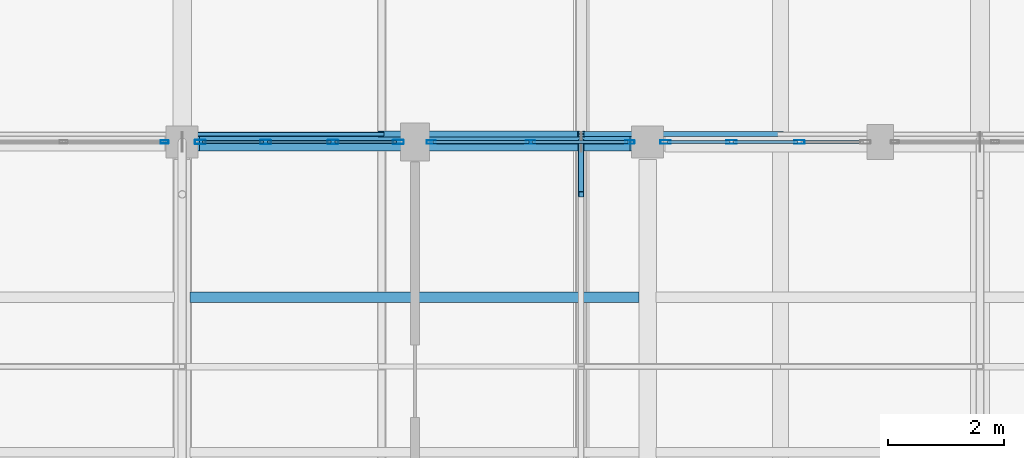
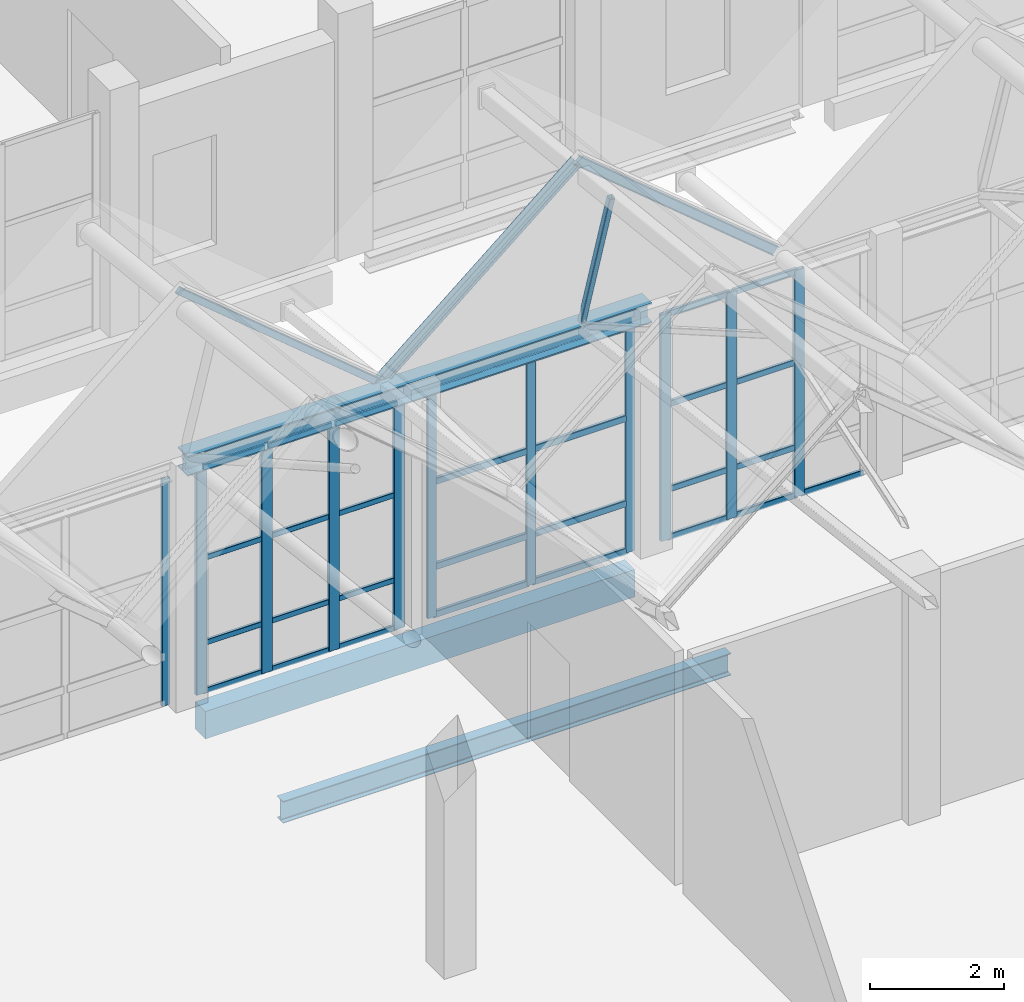
# One storey, part 81 of 183: 44 members, 3 beams, 4 elements without a shape of their own.
"""IFC4 building model written with IfcOpenShell, lengths in metres."""

from ifc_helpers import new_model, si_unit, direction, frame, origin, origin_2d, place, context, subcontext, project, spatial, rectangle, hollow_rectangle, i_section, extrude, material, material_profile, profile_set, type_object, element, aggregate, save


model = new_model("IFC4")

# Units and contexts
model_context = context("Model", 3, precision=1e-05, world=origin(), true_north=direction((0.0, 1.0)))
body_context = subcontext(model_context, "Body", "Model", "MODEL_VIEW")
ifc_project = project(units=[si_unit("LENGTHUNIT", "METRE"), si_unit("AREAUNIT", "SQUARE_METRE"), si_unit("VOLUMEUNIT", "CUBIC_METRE"), si_unit("PLANEANGLEUNIT", "RADIAN"), si_unit("MASSUNIT", "GRAM", prefix="KILO")], contexts=[model_context])

# Site, building, storey
site_placement = place(None, origin())
site = spatial("IfcSite", under=ifc_project, at=site_placement, CompositionType="ELEMENT")
building_placement = place(site_placement, origin())
building = spatial("IfcBuilding", under=site, at=building_placement, Name="Luwemba Playhouse", CompositionType="ELEMENT")
storey_placement = place(building_placement, frame((0.0, 0.0, 4.800048828125)))
storey = spatial("IfcBuildingStorey", under=building, at=storey_placement, Name="L01", CompositionType="ELEMENT", Elevation=4.800048828125)

# Beams
ifc_material_1 = material(Name="Steel S355", Category="steel")
ifc_material_profile_1 = material_profile(ifc_material_1, i_section(OverallWidth=0.300048828125, OverallDepth=0.360107421875, WebThickness=0.012451171875, FlangeThickness=0.0224609375, FilletRadius=0.027099609375, at=origin_2d()))
ifc_profile_set_1 = profile_set([ifc_material_profile_1], Name="Steel S355")
beam_type_1 = type_object("IfcBeamType", Name="BM-SB09", PredefinedType="BEAM", material=ifc_profile_set_1)
beam_1_placement = place(storey_placement, frame((148.0, 27.0, 4.320068359375), z_axis=(1.0, 0.0, 0.0), x_axis=(0.0, 1.0, 0.0)))
element("IfcBeam", 1, at=beam_1_placement, inside=storey, type_object=beam_type_1, Name="RF-V5E eave ring beam 0300", PredefinedType="BEAM", context=body_context, shape_type="SweptSolid", body=[
    extrude(i_section(OverallWidth=0.300048828125, OverallDepth=0.360107421875, WebThickness=0.012451171875, FlangeThickness=0.0224609375, FilletRadius=0.027099609375, at=origin_2d()), origin(), (0.0, 0.0, 1.0), 8.0),
])
ifc_material_profile_2 = material_profile(ifc_material_1, i_section(OverallWidth=0.179931640625, OverallDepth=0.39990234375, WebThickness=0.008544921875, FlangeThickness=0.013427734375, FilletRadius=0.02099609375, at=origin_2d()))
ifc_profile_set_2 = profile_set([ifc_material_profile_2], Name="Steel S355")
beam_type_2 = type_object("IfcBeamType", Name="BM-SJ08", PredefinedType="JOIST", material=ifc_profile_set_2)
beam_2_placement = place(storey_placement, frame((148.135986328125, 24.333251953125, -0.449951171875), z_axis=(1.0, 0.0, 0.0), x_axis=(0.0, 1.0, 0.0)))
element("IfcBeam", 2, at=beam_2_placement, inside=storey, type_object=beam_type_2, Name="L01 composite floor joist 0327", PredefinedType="JOIST", context=body_context, shape_type="SweptSolid", body=[
    extrude(i_section(OverallWidth=0.179931640625, OverallDepth=0.39990234375, WebThickness=0.008544921875, FlangeThickness=0.013427734375, FilletRadius=0.02099609375, at=origin_2d()), origin(), (0.0, 0.0, 1.0), 7.718017578125),
])
ifc_material_2 = material(Name="Concrete C40/50", Category="concrete")
ifc_material_profile_3 = material_profile(ifc_material_2, rectangle(XDim=0.300048828125, YDim=0.5, at=origin_2d()))
ifc_profile_set_3 = profile_set([ifc_material_profile_3], Name="Concrete C40/50")
beam_type_3 = type_object("IfcBeamType", Name="BM-SP1", PredefinedType="SPANDREL", material=ifc_profile_set_3)
beam_3_placement = place(storey_placement, frame((148.300048828125, 27.0, -0.5), z_axis=(1.0, 0.0, 0.0), x_axis=(0.0, 1.0, 0.0)))
element("IfcBeam", 3, at=beam_3_placement, inside=storey, type_object=beam_type_3, Name="L01 grid girder 0540", PredefinedType="SPANDREL", context=body_context, shape_type="SweptSolid", body=[
    extrude(rectangle(XDim=0.300048828125, YDim=0.5, at=origin_2d()), origin(), (0.0, 0.0, 1.0), 7.39990234375),
])

# Curtain wall, members
ifc_material_3 = material(Name="Solar-control double glazing", Category="glass")
curtain_wall_type_1 = type_object("IfcCurtainWallType", Name="CW-CW124", PredefinedType="USERDEFINED", material=ifc_material_3)
curtain_wall_1_placement = place(storey_placement, origin())
curtain_wall_1 = element("IfcCurtainWall", 4, at=curtain_wall_1_placement, inside=storey, type_object=curtain_wall_type_1, Name="L01 V5E unitised curtain wall 162", ObjectType="UNITISED GLAZING", PredefinedType="USERDEFINED")
ifc_material_4 = material(Name="Aluminium 6063-T6", Category="aluminium")
ifc_material_profile_4 = material_profile(ifc_material_4, hollow_rectangle(XDim=0.06005859375, YDim=0.159912109375, WallThickness=0.00390625, InnerFilletRadius=0.006103515625, OuterFilletRadius=0.010009765625, at=origin_2d()))
ifc_profile_set_4 = profile_set([ifc_material_profile_4], Name="Aluminium 6063-T6")
member_type_1 = type_object("IfcMemberType", Name="CWM-M1", PredefinedType="MULLION", material=ifc_profile_set_4)
member_1_placement = place(storey_placement, frame((152.280029296875, 27.0, 0.0), z_axis=(0.0, 0.0, 1.0), x_axis=(0.0, 1.0, 0.0)))
member_1 = element("IfcMember", 5, at=member_1_placement, type_object=member_type_1, Name="CW124 mullion 1", PredefinedType="MULLION", context=body_context, shape_type="SweptSolid", body=[
    extrude(hollow_rectangle(XDim=0.06005859375, YDim=0.159912109375, WallThickness=0.00390625, InnerFilletRadius=0.006103515625, OuterFilletRadius=0.010009765625, at=origin_2d()), origin(), (0.0, 0.0, 1.0), 4.125),
])
member_2_placement = place(storey_placement, frame((153.987548828125, 27.0, 0.0), z_axis=(0.0, 0.0, 1.0), x_axis=(0.0, 1.0, 0.0)))
member_2 = element("IfcMember", 6, at=member_2_placement, type_object=member_type_1, Name="CW124 mullion 2", PredefinedType="MULLION", context=body_context, shape_type="SweptSolid", body=[
    extrude(hollow_rectangle(XDim=0.06005859375, YDim=0.159912109375, WallThickness=0.00390625, InnerFilletRadius=0.006103515625, OuterFilletRadius=0.010009765625, at=origin_2d()), origin(), (0.0, 0.0, 1.0), 4.125),
])
member_3_placement = place(storey_placement, frame((155.695068359375, 27.0, 0.0), z_axis=(0.0, 0.0, 1.0), x_axis=(0.0, 1.0, 0.0)))
member_3 = element("IfcMember", 7, at=member_3_placement, type_object=member_type_1, Name="CW124 mullion 3", PredefinedType="MULLION", context=body_context, shape_type="SweptSolid", body=[
    extrude(hollow_rectangle(XDim=0.06005859375, YDim=0.159912109375, WallThickness=0.00390625, InnerFilletRadius=0.006103515625, OuterFilletRadius=0.010009765625, at=origin_2d()), origin(), (0.0, 0.0, 1.0), 4.125),
])

curtain_wall_type_2 = type_object("IfcCurtainWallType", Name="CW-CW125", PredefinedType="USERDEFINED", material=ifc_material_3)
curtain_wall_2_placement = place(storey_placement, origin())
curtain_wall_2 = element("IfcCurtainWall", 8, at=curtain_wall_2_placement, inside=storey, type_object=curtain_wall_type_2, Name="L01 V5E unitised curtain wall 163", ObjectType="UNITISED GLAZING", PredefinedType="USERDEFINED")
ifc_material_profile_5 = material_profile(ifc_material_4, hollow_rectangle(XDim=0.06494140625, YDim=0.179931640625, WallThickness=0.00439453125, InnerFilletRadius=0.0068359375, OuterFilletRadius=0.01123046875, at=origin_2d()))
ifc_profile_set_5 = profile_set([ifc_material_profile_5], Name="Aluminium 6063-T6")
member_type_2 = type_object("IfcMemberType", Name="CWM-M2", PredefinedType="MULLION", material=ifc_profile_set_5)
member_4_placement = place(storey_placement, frame((156.3076171875, 27.0, 0.0), z_axis=(0.0, 0.0, 1.0), x_axis=(0.0, 1.0, 0.0)))
member_4 = element("IfcMember", 9, at=member_4_placement, type_object=member_type_2, Name="CW125 mullion 1", PredefinedType="MULLION", context=body_context, shape_type="SweptSolid", body=[
    extrude(hollow_rectangle(XDim=0.06494140625, YDim=0.179931640625, WallThickness=0.00439453125, InnerFilletRadius=0.0068359375, OuterFilletRadius=0.01123046875, at=origin_2d()), origin(), (0.0, 0.0, 1.0), 4.125),
])
member_5_placement = place(storey_placement, frame((157.441650390625, 27.0, 0.0), z_axis=(0.0, 0.0, 1.0), x_axis=(0.0, 1.0, 0.0)))
member_5 = element("IfcMember", 10, at=member_5_placement, type_object=member_type_2, Name="CW125 mullion 2", PredefinedType="MULLION", context=body_context, shape_type="SweptSolid", body=[
    extrude(hollow_rectangle(XDim=0.06494140625, YDim=0.179931640625, WallThickness=0.00439453125, InnerFilletRadius=0.0068359375, OuterFilletRadius=0.01123046875, at=origin_2d()), origin(), (0.0, 0.0, 1.0), 4.125),
])
member_6_placement = place(storey_placement, frame((158.6083984375, 27.0, 0.0), z_axis=(0.0, 0.0, 1.0), x_axis=(0.0, 1.0, 0.0)))
member_6 = element("IfcMember", 11, at=member_6_placement, type_object=member_type_2, Name="CW125 mullion 3", PredefinedType="MULLION", context=body_context, shape_type="SweptSolid", body=[
    extrude(hollow_rectangle(XDim=0.06494140625, YDim=0.179931640625, WallThickness=0.00439453125, InnerFilletRadius=0.0068359375, OuterFilletRadius=0.01123046875, at=origin_2d()), origin(), (0.0, 0.0, 1.0), 4.125),
])

# Curtain wall, member
curtain_wall_type_3 = type_object("IfcCurtainWallType", Name="CW-CW122", PredefinedType="USERDEFINED", material=ifc_material_3)
curtain_wall_3_placement = place(storey_placement, origin())
curtain_wall_3 = element("IfcCurtainWall", 12, at=curtain_wall_3_placement, inside=storey, type_object=curtain_wall_type_3, Name="L01 V5E unitised curtain wall 160", ObjectType="UNITISED GLAZING", PredefinedType="USERDEFINED")
ifc_material_profile_6 = material_profile(ifc_material_4, hollow_rectangle(XDim=0.054931640625, YDim=0.139892578125, WallThickness=0.00390625, InnerFilletRadius=0.006103515625, OuterFilletRadius=0.010009765625, at=origin_2d()))
ifc_profile_set_6 = profile_set([ifc_material_profile_6], Name="Aluminium 6063-T6")
member_type_3 = type_object("IfcMemberType", Name="CWM-M3", PredefinedType="MULLION", material=ifc_profile_set_6)
member_7_placement = place(storey_placement, frame((147.697509765625, 27.0, 0.0), z_axis=(0.0, 0.0, 1.0), x_axis=(0.0, 1.0, 0.0)))
member_7 = element("IfcMember", 13, at=member_7_placement, type_object=member_type_3, Name="CW122 mullion 3", PredefinedType="MULLION", context=body_context, shape_type="SweptSolid", body=[
    extrude(hollow_rectangle(XDim=0.054931640625, YDim=0.139892578125, WallThickness=0.00390625, InnerFilletRadius=0.006103515625, OuterFilletRadius=0.010009765625, at=origin_2d()), origin(), (0.0, 0.0, 1.0), 4.125),
])
aggregate(curtain_wall_3, [member_7])

# Curtain wall, members
curtain_wall_type_4 = type_object("IfcCurtainWallType", Name="CW-CW123", PredefinedType="USERDEFINED", material=ifc_material_3)
curtain_wall_4_placement = place(storey_placement, origin())
curtain_wall_4 = element("IfcCurtainWall", 14, at=curtain_wall_4_placement, inside=storey, type_object=curtain_wall_type_4, Name="L01 V5E unitised curtain wall 161", ObjectType="UNITISED GLAZING", PredefinedType="USERDEFINED")
ifc_material_profile_7 = material_profile(ifc_material_4, hollow_rectangle(XDim=0.070068359375, YDim=0.18994140625, WallThickness=0.0048828125, InnerFilletRadius=0.007568359375, OuterFilletRadius=0.012451171875, at=origin_2d()))
ifc_profile_set_7 = profile_set([ifc_material_profile_7], Name="Aluminium 6063-T6")
member_type_4 = type_object("IfcMemberType", Name="CWM-M4", PredefinedType="MULLION", material=ifc_profile_set_7)
member_8_placement = place(storey_placement, frame((148.31005859375, 27.0, 0.0), z_axis=(0.0, 0.0, 1.0), x_axis=(0.0, 1.0, 0.0)))
member_8 = element("IfcMember", 15, at=member_8_placement, type_object=member_type_4, Name="CW123 mullion 1", PredefinedType="MULLION", context=body_context, shape_type="SweptSolid", body=[
    extrude(hollow_rectangle(XDim=0.070068359375, YDim=0.18994140625, WallThickness=0.0048828125, InnerFilletRadius=0.007568359375, OuterFilletRadius=0.012451171875, at=origin_2d()), origin(), (0.0, 0.0, 1.0), 4.125),
])
member_9_placement = place(storey_placement, frame((149.433349609375, 27.0, 0.0), z_axis=(0.0, 0.0, 1.0), x_axis=(0.0, 1.0, 0.0)))
member_9 = element("IfcMember", 16, at=member_9_placement, type_object=member_type_4, Name="CW123 mullion 2", PredefinedType="MULLION", context=body_context, shape_type="SweptSolid", body=[
    extrude(hollow_rectangle(XDim=0.070068359375, YDim=0.18994140625, WallThickness=0.0048828125, InnerFilletRadius=0.007568359375, OuterFilletRadius=0.012451171875, at=origin_2d()), origin(), (0.0, 0.0, 1.0), 4.125),
])
member_10_placement = place(storey_placement, frame((150.591552734375, 27.0, 0.0), z_axis=(0.0, 0.0, 1.0), x_axis=(0.0, 1.0, 0.0)))
member_10 = element("IfcMember", 17, at=member_10_placement, type_object=member_type_4, Name="CW123 mullion 3", PredefinedType="MULLION", context=body_context, shape_type="SweptSolid", body=[
    extrude(hollow_rectangle(XDim=0.070068359375, YDim=0.18994140625, WallThickness=0.0048828125, InnerFilletRadius=0.007568359375, OuterFilletRadius=0.012451171875, at=origin_2d()), origin(), (0.0, 0.0, 1.0), 4.125),
])
member_11_placement = place(storey_placement, frame((151.715087890625, 27.0, 0.0), z_axis=(0.0, 0.0, 1.0), x_axis=(0.0, 1.0, 0.0)))
member_11 = element("IfcMember", 18, at=member_11_placement, type_object=member_type_4, Name="CW123 mullion 4", PredefinedType="MULLION", context=body_context, shape_type="SweptSolid", body=[
    extrude(hollow_rectangle(XDim=0.070068359375, YDim=0.18994140625, WallThickness=0.0048828125, InnerFilletRadius=0.007568359375, OuterFilletRadius=0.012451171875, at=origin_2d()), origin(), (0.0, 0.0, 1.0), 4.125),
])

# Member
ifc_material_profile_8 = material_profile(ifc_material_4, hollow_rectangle(XDim=0.06005859375, YDim=0.1201171875, WallThickness=0.00390625, InnerFilletRadius=0.006103515625, OuterFilletRadius=0.010009765625, at=origin_2d()))
ifc_profile_set_8 = profile_set([ifc_material_profile_8], Name="Aluminium 6063-T6")
member_type_5 = type_object("IfcMemberType", Name="CWT-T1", PredefinedType="USERDEFINED", material=ifc_profile_set_8)
member_12_placement = place(storey_placement, frame((152.31005859375, 27.0, 0.030029296875), z_axis=(1.0, 0.0, 0.0), x_axis=(0.0, 1.0, 0.0)))
member_12 = element("IfcMember", 19, at=member_12_placement, type_object=member_type_5, Name="CW124 transom 1.1", ObjectType="TRANSOM", PredefinedType="USERDEFINED", context=body_context, shape_type="SweptSolid", body=[
    extrude(hollow_rectangle(XDim=0.06005859375, YDim=0.1201171875, WallThickness=0.00390625, InnerFilletRadius=0.006103515625, OuterFilletRadius=0.010009765625, at=origin_2d()), origin(), (0.0, 0.0, 1.0), 1.6474609375),
])

member_13_placement = place(storey_placement, frame((152.31005859375, 27.0, 0.89990234375), z_axis=(1.0, 0.0, 0.0), x_axis=(0.0, 1.0, 0.0)))
member_13 = element("IfcMember", 20, at=member_13_placement, type_object=member_type_5, Name="CW124 transom 1.2", ObjectType="TRANSOM", PredefinedType="USERDEFINED", context=body_context, shape_type="SweptSolid", body=[
    extrude(hollow_rectangle(XDim=0.06005859375, YDim=0.1201171875, WallThickness=0.00390625, InnerFilletRadius=0.006103515625, OuterFilletRadius=0.010009765625, at=origin_2d()), origin(), (0.0, 0.0, 1.0), 1.6474609375),
])

member_14_placement = place(storey_placement, frame((152.31005859375, 27.0, 2.449951171875), z_axis=(1.0, 0.0, 0.0), x_axis=(0.0, 1.0, 0.0)))
member_14 = element("IfcMember", 21, at=member_14_placement, type_object=member_type_5, Name="CW124 transom 1.3", ObjectType="TRANSOM", PredefinedType="USERDEFINED", context=body_context, shape_type="SweptSolid", body=[
    extrude(hollow_rectangle(XDim=0.06005859375, YDim=0.1201171875, WallThickness=0.00390625, InnerFilletRadius=0.006103515625, OuterFilletRadius=0.010009765625, at=origin_2d()), origin(), (0.0, 0.0, 1.0), 1.6474609375),
])

member_15_placement = place(storey_placement, frame((152.31005859375, 27.0, 4.094970703125), z_axis=(1.0, 0.0, 0.0), x_axis=(0.0, 1.0, 0.0)))
member_15 = element("IfcMember", 22, at=member_15_placement, type_object=member_type_5, Name="CW124 transom 1.4", ObjectType="TRANSOM", PredefinedType="USERDEFINED", context=body_context, shape_type="SweptSolid", body=[
    extrude(hollow_rectangle(XDim=0.06005859375, YDim=0.1201171875, WallThickness=0.00390625, InnerFilletRadius=0.006103515625, OuterFilletRadius=0.010009765625, at=origin_2d()), origin(), (0.0, 0.0, 1.0), 1.6474609375),
])

member_16_placement = place(storey_placement, frame((154.017578125, 27.0, 0.030029296875), z_axis=(1.0, 0.0, 0.0), x_axis=(0.0, 1.0, 0.0)))
member_16 = element("IfcMember", 23, at=member_16_placement, type_object=member_type_5, Name="CW124 transom 2.1", ObjectType="TRANSOM", PredefinedType="USERDEFINED", context=body_context, shape_type="SweptSolid", body=[
    extrude(hollow_rectangle(XDim=0.06005859375, YDim=0.1201171875, WallThickness=0.00390625, InnerFilletRadius=0.006103515625, OuterFilletRadius=0.010009765625, at=origin_2d()), origin(), (0.0, 0.0, 1.0), 1.6474609375),
])

member_17_placement = place(storey_placement, frame((154.017578125, 27.0, 0.89990234375), z_axis=(1.0, 0.0, 0.0), x_axis=(0.0, 1.0, 0.0)))
member_17 = element("IfcMember", 24, at=member_17_placement, type_object=member_type_5, Name="CW124 transom 2.2", ObjectType="TRANSOM", PredefinedType="USERDEFINED", context=body_context, shape_type="SweptSolid", body=[
    extrude(hollow_rectangle(XDim=0.06005859375, YDim=0.1201171875, WallThickness=0.00390625, InnerFilletRadius=0.006103515625, OuterFilletRadius=0.010009765625, at=origin_2d()), origin(), (0.0, 0.0, 1.0), 1.6474609375),
])

member_18_placement = place(storey_placement, frame((154.017578125, 27.0, 2.449951171875), z_axis=(1.0, 0.0, 0.0), x_axis=(0.0, 1.0, 0.0)))
member_18 = element("IfcMember", 25, at=member_18_placement, type_object=member_type_5, Name="CW124 transom 2.3", ObjectType="TRANSOM", PredefinedType="USERDEFINED", context=body_context, shape_type="SweptSolid", body=[
    extrude(hollow_rectangle(XDim=0.06005859375, YDim=0.1201171875, WallThickness=0.00390625, InnerFilletRadius=0.006103515625, OuterFilletRadius=0.010009765625, at=origin_2d()), origin(), (0.0, 0.0, 1.0), 1.6474609375),
])

member_19_placement = place(storey_placement, frame((154.017578125, 27.0, 4.094970703125), z_axis=(1.0, 0.0, 0.0), x_axis=(0.0, 1.0, 0.0)))
member_19 = element("IfcMember", 26, at=member_19_placement, type_object=member_type_5, Name="CW124 transom 2.4", ObjectType="TRANSOM", PredefinedType="USERDEFINED", context=body_context, shape_type="SweptSolid", body=[
    extrude(hollow_rectangle(XDim=0.06005859375, YDim=0.1201171875, WallThickness=0.00390625, InnerFilletRadius=0.006103515625, OuterFilletRadius=0.010009765625, at=origin_2d()), origin(), (0.0, 0.0, 1.0), 1.6474609375),
])

aggregate(curtain_wall_1, [member_1, member_2, member_3, member_12, member_13, member_14, member_15, member_16, member_17, member_18, member_19])

ifc_material_profile_9 = material_profile(ifc_material_4, hollow_rectangle(XDim=0.054931640625, YDim=0.110107421875, WallThickness=0.00341796875, InnerFilletRadius=0.00537109375, OuterFilletRadius=0.0087890625, at=origin_2d()))
ifc_profile_set_9 = profile_set([ifc_material_profile_9], Name="Aluminium 6063-T6")
member_type_6 = type_object("IfcMemberType", Name="CWT-T2", PredefinedType="USERDEFINED", material=ifc_profile_set_9)
member_20_placement = place(storey_placement, frame((156.340087890625, 27.0, 0.02734375), z_axis=(1.0, 0.0, 0.0), x_axis=(0.0, 1.0, 0.0)))
member_20 = element("IfcMember", 27, at=member_20_placement, type_object=member_type_6, Name="CW125 transom 1.1", ObjectType="TRANSOM", PredefinedType="USERDEFINED", context=body_context, shape_type="SweptSolid", body=[
    extrude(hollow_rectangle(XDim=0.054931640625, YDim=0.110107421875, WallThickness=0.00341796875, InnerFilletRadius=0.00537109375, OuterFilletRadius=0.0087890625, at=origin_2d()), origin(), (0.0, 0.0, 1.0), 1.069091796875),
])

member_21_placement = place(storey_placement, frame((156.340087890625, 27.0, 0.89990234375), z_axis=(1.0, 0.0, 0.0), x_axis=(0.0, 1.0, 0.0)))
member_21 = element("IfcMember", 28, at=member_21_placement, type_object=member_type_6, Name="CW125 transom 1.2", ObjectType="TRANSOM", PredefinedType="USERDEFINED", context=body_context, shape_type="SweptSolid", body=[
    extrude(hollow_rectangle(XDim=0.054931640625, YDim=0.110107421875, WallThickness=0.00341796875, InnerFilletRadius=0.00537109375, OuterFilletRadius=0.0087890625, at=origin_2d()), origin(), (0.0, 0.0, 1.0), 1.069091796875),
])

member_22_placement = place(storey_placement, frame((156.340087890625, 27.0, 2.449951171875), z_axis=(1.0, 0.0, 0.0), x_axis=(0.0, 1.0, 0.0)))
member_22 = element("IfcMember", 29, at=member_22_placement, type_object=member_type_6, Name="CW125 transom 1.3", ObjectType="TRANSOM", PredefinedType="USERDEFINED", context=body_context, shape_type="SweptSolid", body=[
    extrude(hollow_rectangle(XDim=0.054931640625, YDim=0.110107421875, WallThickness=0.00341796875, InnerFilletRadius=0.00537109375, OuterFilletRadius=0.0087890625, at=origin_2d()), origin(), (0.0, 0.0, 1.0), 1.069091796875),
])

member_23_placement = place(storey_placement, frame((156.340087890625, 27.0, 4.097412109375), z_axis=(1.0, 0.0, 0.0), x_axis=(0.0, 1.0, 0.0)))
member_23 = element("IfcMember", 30, at=member_23_placement, type_object=member_type_6, Name="CW125 transom 1.4", ObjectType="TRANSOM", PredefinedType="USERDEFINED", context=body_context, shape_type="SweptSolid", body=[
    extrude(hollow_rectangle(XDim=0.054931640625, YDim=0.110107421875, WallThickness=0.00341796875, InnerFilletRadius=0.00537109375, OuterFilletRadius=0.0087890625, at=origin_2d()), origin(), (0.0, 0.0, 1.0), 1.069091796875),
])

member_24_placement = place(storey_placement, frame((157.47412109375, 27.0, 0.02734375), z_axis=(1.0, 0.0, 0.0), x_axis=(0.0, 1.0, 0.0)))
member_24 = element("IfcMember", 31, at=member_24_placement, type_object=member_type_6, Name="CW125 transom 2.1", ObjectType="TRANSOM", PredefinedType="USERDEFINED", context=body_context, shape_type="SweptSolid", body=[
    extrude(hollow_rectangle(XDim=0.054931640625, YDim=0.110107421875, WallThickness=0.00341796875, InnerFilletRadius=0.00537109375, OuterFilletRadius=0.0087890625, at=origin_2d()), origin(), (0.0, 0.0, 1.0), 1.101806640625),
])

member_25_placement = place(storey_placement, frame((157.47412109375, 27.0, 0.89990234375), z_axis=(1.0, 0.0, 0.0), x_axis=(0.0, 1.0, 0.0)))
member_25 = element("IfcMember", 32, at=member_25_placement, type_object=member_type_6, Name="CW125 transom 2.2", ObjectType="TRANSOM", PredefinedType="USERDEFINED", context=body_context, shape_type="SweptSolid", body=[
    extrude(hollow_rectangle(XDim=0.054931640625, YDim=0.110107421875, WallThickness=0.00341796875, InnerFilletRadius=0.00537109375, OuterFilletRadius=0.0087890625, at=origin_2d()), origin(), (0.0, 0.0, 1.0), 1.101806640625),
])

member_26_placement = place(storey_placement, frame((157.47412109375, 27.0, 2.449951171875), z_axis=(1.0, 0.0, 0.0), x_axis=(0.0, 1.0, 0.0)))
member_26 = element("IfcMember", 33, at=member_26_placement, type_object=member_type_6, Name="CW125 transom 2.3", ObjectType="TRANSOM", PredefinedType="USERDEFINED", context=body_context, shape_type="SweptSolid", body=[
    extrude(hollow_rectangle(XDim=0.054931640625, YDim=0.110107421875, WallThickness=0.00341796875, InnerFilletRadius=0.00537109375, OuterFilletRadius=0.0087890625, at=origin_2d()), origin(), (0.0, 0.0, 1.0), 1.101806640625),
])

member_27_placement = place(storey_placement, frame((157.47412109375, 27.0, 4.097412109375), z_axis=(1.0, 0.0, 0.0), x_axis=(0.0, 1.0, 0.0)))
member_27 = element("IfcMember", 34, at=member_27_placement, type_object=member_type_6, Name="CW125 transom 2.4", ObjectType="TRANSOM", PredefinedType="USERDEFINED", context=body_context, shape_type="SweptSolid", body=[
    extrude(hollow_rectangle(XDim=0.054931640625, YDim=0.110107421875, WallThickness=0.00341796875, InnerFilletRadius=0.00537109375, OuterFilletRadius=0.0087890625, at=origin_2d()), origin(), (0.0, 0.0, 1.0), 1.101806640625),
])

member_28_placement = place(storey_placement, frame((158.640869140625, 27.0, 0.02734375), z_axis=(1.0, 0.0, 0.0), x_axis=(0.0, 1.0, 0.0)))
member_28 = element("IfcMember", 35, at=member_28_placement, type_object=member_type_6, Name="CW125 transom 3.1", ObjectType="TRANSOM", PredefinedType="USERDEFINED", context=body_context, shape_type="SweptSolid", body=[
    extrude(hollow_rectangle(XDim=0.054931640625, YDim=0.110107421875, WallThickness=0.00341796875, InnerFilletRadius=0.00537109375, OuterFilletRadius=0.0087890625, at=origin_2d()), origin(), (0.0, 0.0, 1.0), 1.069091796875),
])

aggregate(curtain_wall_2, [member_4, member_5, member_6, member_20, member_21, member_22, member_23, member_24, member_25, member_26, member_27, member_28])

ifc_material_profile_10 = material_profile(ifc_material_4, hollow_rectangle(XDim=0.050048828125, YDim=0.10009765625, WallThickness=0.00341796875, InnerFilletRadius=0.00537109375, OuterFilletRadius=0.0087890625, at=origin_2d()))
ifc_profile_set_10 = profile_set([ifc_material_profile_10], Name="Aluminium 6063-T6")
member_type_7 = type_object("IfcMemberType", Name="CWT-T4", PredefinedType="USERDEFINED", material=ifc_profile_set_10)
member_29_placement = place(storey_placement, frame((148.344970703125, 27.0, 0.02490234375), z_axis=(1.0, 0.0, 0.0), x_axis=(0.0, 1.0, 0.0)))
member_29 = element("IfcMember", 36, at=member_29_placement, type_object=member_type_7, Name="CW123 transom 1.1", ObjectType="TRANSOM", PredefinedType="USERDEFINED", context=body_context, shape_type="SweptSolid", body=[
    extrude(hollow_rectangle(XDim=0.050048828125, YDim=0.10009765625, WallThickness=0.00341796875, InnerFilletRadius=0.00537109375, OuterFilletRadius=0.0087890625, at=origin_2d()), origin(), (0.0, 0.0, 1.0), 1.053466796875),
])

member_30_placement = place(storey_placement, frame((148.344970703125, 27.0, 0.89990234375), z_axis=(1.0, 0.0, 0.0), x_axis=(0.0, 1.0, 0.0)))
member_30 = element("IfcMember", 37, at=member_30_placement, type_object=member_type_7, Name="CW123 transom 1.2", ObjectType="TRANSOM", PredefinedType="USERDEFINED", context=body_context, shape_type="SweptSolid", body=[
    extrude(hollow_rectangle(XDim=0.050048828125, YDim=0.10009765625, WallThickness=0.00341796875, InnerFilletRadius=0.00537109375, OuterFilletRadius=0.0087890625, at=origin_2d()), origin(), (0.0, 0.0, 1.0), 1.053466796875),
])

member_31_placement = place(storey_placement, frame((148.344970703125, 27.0, 2.449951171875), z_axis=(1.0, 0.0, 0.0), x_axis=(0.0, 1.0, 0.0)))
member_31 = element("IfcMember", 38, at=member_31_placement, type_object=member_type_7, Name="CW123 transom 1.3", ObjectType="TRANSOM", PredefinedType="USERDEFINED", context=body_context, shape_type="SweptSolid", body=[
    extrude(hollow_rectangle(XDim=0.050048828125, YDim=0.10009765625, WallThickness=0.00341796875, InnerFilletRadius=0.00537109375, OuterFilletRadius=0.0087890625, at=origin_2d()), origin(), (0.0, 0.0, 1.0), 1.053466796875),
])

member_32_placement = place(storey_placement, frame((148.344970703125, 27.0, 4.099853515625), z_axis=(1.0, 0.0, 0.0), x_axis=(0.0, 1.0, 0.0)))
member_32 = element("IfcMember", 39, at=member_32_placement, type_object=member_type_7, Name="CW123 transom 1.4", ObjectType="TRANSOM", PredefinedType="USERDEFINED", context=body_context, shape_type="SweptSolid", body=[
    extrude(hollow_rectangle(XDim=0.050048828125, YDim=0.10009765625, WallThickness=0.00341796875, InnerFilletRadius=0.00537109375, OuterFilletRadius=0.0087890625, at=origin_2d()), origin(), (0.0, 0.0, 1.0), 1.053466796875),
])

member_33_placement = place(storey_placement, frame((149.46826171875, 27.0, 0.02490234375), z_axis=(1.0, 0.0, 0.0), x_axis=(0.0, 1.0, 0.0)))
member_33 = element("IfcMember", 40, at=member_33_placement, type_object=member_type_7, Name="CW123 transom 2.1", ObjectType="TRANSOM", PredefinedType="USERDEFINED", context=body_context, shape_type="SweptSolid", body=[
    extrude(hollow_rectangle(XDim=0.050048828125, YDim=0.10009765625, WallThickness=0.00341796875, InnerFilletRadius=0.00537109375, OuterFilletRadius=0.0087890625, at=origin_2d()), origin(), (0.0, 0.0, 1.0), 1.08837890625),
])

member_34_placement = place(storey_placement, frame((149.46826171875, 27.0, 0.89990234375), z_axis=(1.0, 0.0, 0.0), x_axis=(0.0, 1.0, 0.0)))
member_34 = element("IfcMember", 41, at=member_34_placement, type_object=member_type_7, Name="CW123 transom 2.2", ObjectType="TRANSOM", PredefinedType="USERDEFINED", context=body_context, shape_type="SweptSolid", body=[
    extrude(hollow_rectangle(XDim=0.050048828125, YDim=0.10009765625, WallThickness=0.00341796875, InnerFilletRadius=0.00537109375, OuterFilletRadius=0.0087890625, at=origin_2d()), origin(), (0.0, 0.0, 1.0), 1.08837890625),
])

member_35_placement = place(storey_placement, frame((149.46826171875, 27.0, 2.449951171875), z_axis=(1.0, 0.0, 0.0), x_axis=(0.0, 1.0, 0.0)))
member_35 = element("IfcMember", 42, at=member_35_placement, type_object=member_type_7, Name="CW123 transom 2.3", ObjectType="TRANSOM", PredefinedType="USERDEFINED", context=body_context, shape_type="SweptSolid", body=[
    extrude(hollow_rectangle(XDim=0.050048828125, YDim=0.10009765625, WallThickness=0.00341796875, InnerFilletRadius=0.00537109375, OuterFilletRadius=0.0087890625, at=origin_2d()), origin(), (0.0, 0.0, 1.0), 1.08837890625),
])

member_36_placement = place(storey_placement, frame((149.46826171875, 27.0, 4.099853515625), z_axis=(1.0, 0.0, 0.0), x_axis=(0.0, 1.0, 0.0)))
member_36 = element("IfcMember", 43, at=member_36_placement, type_object=member_type_7, Name="CW123 transom 2.4", ObjectType="TRANSOM", PredefinedType="USERDEFINED", context=body_context, shape_type="SweptSolid", body=[
    extrude(hollow_rectangle(XDim=0.050048828125, YDim=0.10009765625, WallThickness=0.00341796875, InnerFilletRadius=0.00537109375, OuterFilletRadius=0.0087890625, at=origin_2d()), origin(), (0.0, 0.0, 1.0), 1.08837890625),
])

member_37_placement = place(storey_placement, frame((150.626708984375, 27.0, 0.02490234375), z_axis=(1.0, 0.0, 0.0), x_axis=(0.0, 1.0, 0.0)))
member_37 = element("IfcMember", 44, at=member_37_placement, type_object=member_type_7, Name="CW123 transom 3.1", ObjectType="TRANSOM", PredefinedType="USERDEFINED", context=body_context, shape_type="SweptSolid", body=[
    extrude(hollow_rectangle(XDim=0.050048828125, YDim=0.10009765625, WallThickness=0.00341796875, InnerFilletRadius=0.00537109375, OuterFilletRadius=0.0087890625, at=origin_2d()), origin(), (0.0, 0.0, 1.0), 1.05322265625),
])

member_38_placement = place(storey_placement, frame((150.626708984375, 27.0, 0.89990234375), z_axis=(1.0, 0.0, 0.0), x_axis=(0.0, 1.0, 0.0)))
member_38 = element("IfcMember", 45, at=member_38_placement, type_object=member_type_7, Name="CW123 transom 3.2", ObjectType="TRANSOM", PredefinedType="USERDEFINED", context=body_context, shape_type="SweptSolid", body=[
    extrude(hollow_rectangle(XDim=0.050048828125, YDim=0.10009765625, WallThickness=0.00341796875, InnerFilletRadius=0.00537109375, OuterFilletRadius=0.0087890625, at=origin_2d()), origin(), (0.0, 0.0, 1.0), 1.05322265625),
])

member_39_placement = place(storey_placement, frame((150.626708984375, 27.0, 2.449951171875), z_axis=(1.0, 0.0, 0.0), x_axis=(0.0, 1.0, 0.0)))
member_39 = element("IfcMember", 46, at=member_39_placement, type_object=member_type_7, Name="CW123 transom 3.3", ObjectType="TRANSOM", PredefinedType="USERDEFINED", context=body_context, shape_type="SweptSolid", body=[
    extrude(hollow_rectangle(XDim=0.050048828125, YDim=0.10009765625, WallThickness=0.00341796875, InnerFilletRadius=0.00537109375, OuterFilletRadius=0.0087890625, at=origin_2d()), origin(), (0.0, 0.0, 1.0), 1.05322265625),
])

member_40_placement = place(storey_placement, frame((150.626708984375, 27.0, 4.099853515625), z_axis=(1.0, 0.0, 0.0), x_axis=(0.0, 1.0, 0.0)))
member_40 = element("IfcMember", 47, at=member_40_placement, type_object=member_type_7, Name="CW123 transom 3.4", ObjectType="TRANSOM", PredefinedType="USERDEFINED", context=body_context, shape_type="SweptSolid", body=[
    extrude(hollow_rectangle(XDim=0.050048828125, YDim=0.10009765625, WallThickness=0.00341796875, InnerFilletRadius=0.00537109375, OuterFilletRadius=0.0087890625, at=origin_2d()), origin(), (0.0, 0.0, 1.0), 1.05322265625),
])

aggregate(curtain_wall_4, [member_8, member_9, member_10, member_11, member_29, member_30, member_31, member_32, member_33, member_34, member_35, member_36, member_37, member_38, member_39, member_40])

# Members
ifc_material_profile_11 = material_profile(ifc_material_1, hollow_rectangle(XDim=0.10009765625, YDim=0.10009765625, WallThickness=0.00634765625, InnerFilletRadius=0.009521484375, OuterFilletRadius=0.015869140625, at=origin_2d()))
ifc_profile_set_11 = profile_set([ifc_material_profile_11], Name="Steel S355")
member_type_8 = type_object("IfcMemberType", Name="MEM-MB05", PredefinedType="BRACE", material=ifc_profile_set_11)
member_41_placement = place(storey_placement, frame((154.857177734375, 27.0, 4.39990234375), z_axis=(0.0, -0.297773567403, 0.954636529029), x_axis=(1.0, 0.0, 0.0)))
element("IfcMember", 48, at=member_41_placement, inside=storey, type_object=member_type_8, Name="ROOF TRUSS eave knee strut 0081", PredefinedType="BRACE", context=body_context, shape_type="SweptSolid", body=[
    extrude(hollow_rectangle(XDim=0.10009765625, YDim=0.10009765625, WallThickness=0.00634765625, InnerFilletRadius=0.009521484375, OuterFilletRadius=0.015869140625, at=origin_2d()), origin(), (0.0, 0.0, 1.0), 3.022216796875),
])
ifc_material_profile_12 = material_profile(ifc_material_1, hollow_rectangle(XDim=0.080078125, YDim=0.1201171875, WallThickness=0.00634765625, InnerFilletRadius=0.009521484375, OuterFilletRadius=0.015869140625, at=origin_2d()))
ifc_profile_set_12 = profile_set([ifc_material_profile_12], Name="Steel S355")
member_type_9 = type_object("IfcMemberType", Name="MEM-MP01", PredefinedType="PURLIN", material=ifc_profile_set_12)
member_42_placement = place(storey_placement, frame((148.0, 27.135986328125, 7.357177734375), z_axis=(0.768364765209, 0.0, -0.640012177685), x_axis=(0.0, 1.0, 0.0)))
element("IfcMember", 49, at=member_42_placement, inside=storey, type_object=member_type_9, Name="Pleated roof purlin 0576", PredefinedType="PURLIN", context=body_context, shape_type="SweptSolid", body=[
    extrude(hollow_rectangle(XDim=0.080078125, YDim=0.1201171875, WallThickness=0.00634765625, InnerFilletRadius=0.009521484375, OuterFilletRadius=0.015869140625, at=origin_2d()), origin(), (0.0, 0.0, 1.0), 4.46240234375),
])
ifc_material_profile_13 = material_profile(ifc_material_1, i_section(OverallWidth=0.08203125, OverallDepth=0.159912109375, WebThickness=0.0048828125, FlangeThickness=0.00732421875, FilletRadius=0.009033203125, at=origin_2d()))
ifc_profile_set_13 = profile_set([ifc_material_profile_13], Name="Steel S355")
member_type_10 = type_object("IfcMemberType", Name="MEM-MP05", PredefinedType="PURLIN", material=ifc_profile_set_13)
member_43_placement = place(storey_placement, frame((154.857177734375, 27.135986328125, 7.33642578125), z_axis=(0.768342353216, 0.0, -0.640039083381), x_axis=(0.0, 1.0, 0.0)))
element("IfcMember", 50, at=member_43_placement, inside=storey, type_object=member_type_10, Name="Pleated roof purlin 0588", PredefinedType="PURLIN", context=body_context, shape_type="SweptSolid", body=[
    extrude(i_section(OverallWidth=0.08203125, OverallDepth=0.159912109375, WebThickness=0.0048828125, FlangeThickness=0.00732421875, FilletRadius=0.009033203125, at=origin_2d()), origin(), (0.0, 0.0, 1.0), 4.462158203125),
])
ifc_material_profile_14 = material_profile(ifc_material_1, i_section(OverallWidth=0.10009765625, OverallDepth=0.199951171875, WebThickness=0.005615234375, FlangeThickness=0.008544921875, FilletRadius=0.011962890625, at=origin_2d()))
ifc_profile_set_14 = profile_set([ifc_material_profile_14], Name="Steel S355")
member_type_11 = type_object("IfcMemberType", Name="MEM-MP07", PredefinedType="PURLIN", material=ifc_profile_set_14)
member_44_placement = place(storey_placement, frame((151.4287109375, 27.135986328125, 4.452880859375), z_axis=(0.768342353216, 0.0, 0.640039083381), x_axis=(0.0, 1.0, 0.0)))
element("IfcMember", 51, at=member_44_placement, inside=storey, type_object=member_type_11, Name="Pleated roof purlin 0582", PredefinedType="PURLIN", context=body_context, shape_type="SweptSolid", body=[
    extrude(i_section(OverallWidth=0.10009765625, OverallDepth=0.199951171875, WebThickness=0.005615234375, FlangeThickness=0.008544921875, FilletRadius=0.011962890625, at=origin_2d()), origin(), (0.0, 0.0, 1.0), 4.462158203125),
])

save(model, "model.ifc")
